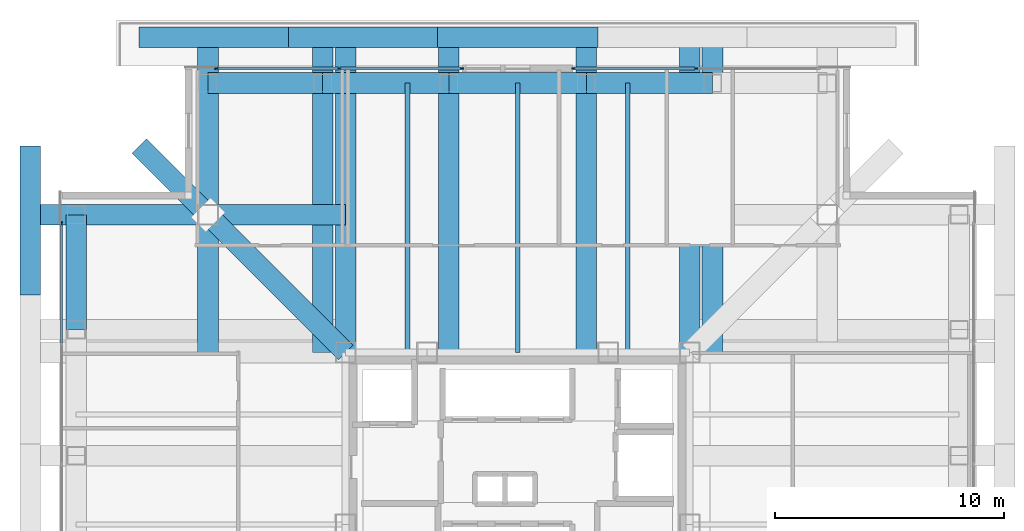
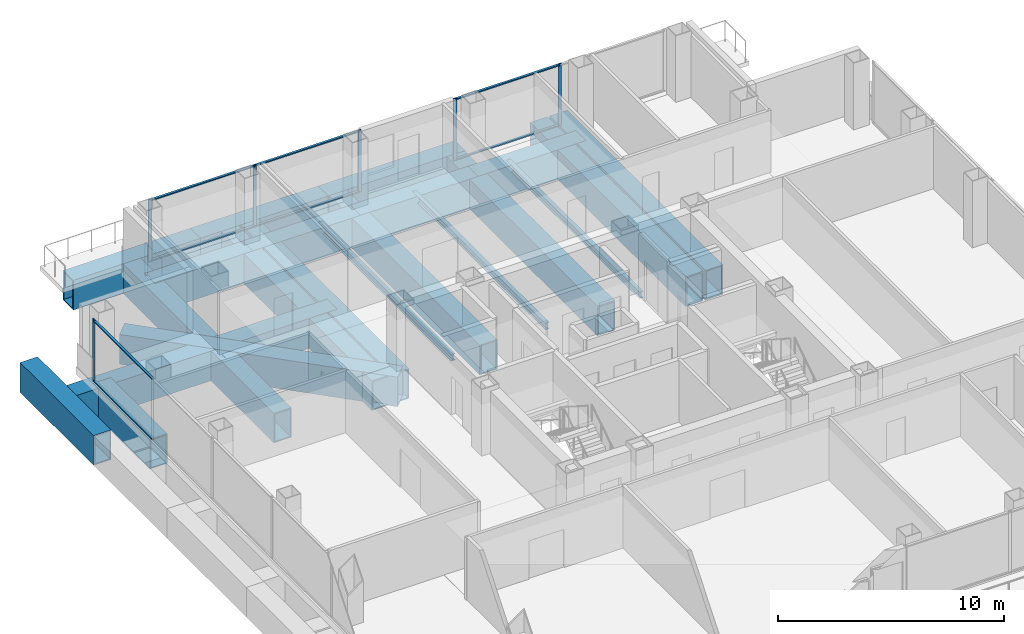
# One storey, part 7 of 14: 21 beams, 14 members, 3 elements without a shape of their own.
"""IFC4 building model written with IfcOpenShell, lengths in metres."""

import ifcopenshell
import ifcopenshell.guid

model = None  # the IFC model being written
_history = None  # IfcOwnerHistory: only IFC2X3 demands one
_inside = {}  # id of a spatial element -> (the spatial element, [elements in it])
_under = {}  # id of a project, library or spatial element -> (it, [spatial elements below it])
_declared = {}  # id of a project -> (the project, [libraries it declares])
_typed = {}  # id of a type object -> (the type object, [elements of that type])
_made_of = {}  # id of a material, layer set ... -> (it, [elements and type objects made of it])


def new_model(schema):
    """Start an empty IFC model of exactly this schema.

    Asked for "IFC4X3", IfcOpenShell would pick the latest addendum, in which some entities
    have other attributes; the version numbers below select the first issue.
    IFC2X3 requires an IfcOwnerHistory on every rooted entity: one is made here for all.
    """
    global model, _history
    if schema == "IFC4X3":
        model = ifcopenshell.file(schema_version=(4, 3, 0, 0))
    else:
        model = ifcopenshell.file(schema=schema)
    _inside.clear()
    _under.clear()
    _declared.clear()
    _typed.clear()
    _made_of.clear()
    _history = None
    if model.schema == "IFC2X3":
        org = make("IfcOrganization", Name="unknown")
        user = make(
            "IfcPersonAndOrganization",
            ThePerson=make("IfcPerson", FamilyName="unknown"),
            TheOrganization=org,
        )
        app = make(
            "IfcApplication",
            ApplicationDeveloper=org,
            Version="unknown",
            ApplicationFullName="unknown",
            ApplicationIdentifier="unknown",
        )
        _history = make(
            "IfcOwnerHistory",
            OwningUser=user,
            OwningApplication=app,
            ChangeAction="ADDED",
            CreationDate=0,
        )
    return model


def make(cls, **values):
    """One entity of the class cls with the attributes given. An attribute that is None is left unset."""
    return model.create_entity(
        cls, **{name: value for name, value in values.items() if value is not None}
    )


def rooted(cls, **values):
    """An entity with a GlobalId (a new one), such as an element, a storey or a relation."""
    return make(cls, GlobalId=ifcopenshell.guid.new(), OwnerHistory=_history, **values)


def si_unit(unit_type, name, prefix=None):
    """IfcSIUnit, for example si_unit("LENGTHUNIT", "METRE", prefix="MILLI")."""
    return make("IfcSIUnit", UnitType=unit_type, Prefix=prefix, Name=name)


def assignment(units):
    """IfcUnitAssignment: the units of a project."""
    return None if units is None else make("IfcUnitAssignment", Units=units)


def point(xyz):
    """IfcCartesianPoint."""
    return None if xyz is None else make("IfcCartesianPoint", Coordinates=xyz)


def direction(xyz):
    """IfcDirection."""
    return None if xyz is None else make("IfcDirection", DirectionRatios=xyz)


def frame(location, z_axis=None, x_axis=None):
    """IfcAxis2Placement3D, a coordinate frame: its origin and axes. An axis left out is left unset."""
    return make(
        "IfcAxis2Placement3D",
        Location=point(location),
        Axis=direction(z_axis),
        RefDirection=direction(x_axis),
    )


def frame_2d(location, x_axis=None):
    """IfcAxis2Placement2D, a coordinate frame in the plane: its origin and x axis."""
    return make(
        "IfcAxis2Placement2D", Location=point(location), RefDirection=direction(x_axis)
    )


def origin():
    """The frame at (0, 0, 0) with its axes left unset."""
    return frame((0.0, 0.0, 0.0))


def origin_2d():
    """The frame at (0, 0) in the plane with its x axis left unset."""
    return frame_2d((0.0, 0.0))


def place(relative_to, where):
    """IfcLocalPlacement: puts the frame where relative to a parent placement (None: the world)."""
    return make(
        "IfcLocalPlacement", PlacementRelTo=relative_to, RelativePlacement=where
    )


def context(
    kind, dimensions, precision=None, world=None, true_north=None, identifier=None
):
    """IfcGeometricRepresentationContext, for example the 3D "Model" context."""
    return make(
        "IfcGeometricRepresentationContext",
        ContextIdentifier=identifier,
        ContextType=kind,
        CoordinateSpaceDimension=dimensions,
        Precision=precision,
        WorldCoordinateSystem=world,
        TrueNorth=true_north,
    )


def subcontext(parent, identifier, kind, view, scale=None):
    """IfcGeometricRepresentationSubContext, for example "Body" below "Model"."""
    return make(
        "IfcGeometricRepresentationSubContext",
        ContextIdentifier=identifier,
        ContextType=kind,
        ParentContext=parent,
        TargetScale=scale,
        TargetView=view,
    )


def project(units=None, contexts=None):
    """IfcProject with its units and contexts."""
    return rooted(
        "IfcProject",
        Name="project",
        RepresentationContexts=contexts,
        UnitsInContext=assignment(units),
    )


def spatial(cls, under=None, at=None, **own):
    """A site, building, storey or space (cls), placed at a placement, below another one or the project."""
    s = rooted(cls, ObjectPlacement=at, **own)
    if under is not None:
        _under.setdefault(under.id(), (under, []))[1].append(s)
    return s


def profile(cls, at=None, kind="AREA", **sizes):
    """A parametric profile (cls). Its sizes go by their IFC names, for example OverallWidth=200.0."""
    return make(cls, ProfileType=kind, Position=at, **sizes)


def rectangle(**sizes):
    """IfcRectangleProfileDef."""
    return profile("IfcRectangleProfileDef", **sizes)


def hollow_rectangle(**sizes):
    """IfcRectangleHollowProfileDef."""
    return profile("IfcRectangleHollowProfileDef", **sizes)


def i_section(**sizes):
    """IfcIShapeProfileDef."""
    return profile("IfcIShapeProfileDef", **sizes)


def extrude(swept, where, along, depth):
    """IfcExtrudedAreaSolid: the profile swept, set in the frame where, extruded along a direction by depth."""
    return make(
        "IfcExtrudedAreaSolid",
        SweptArea=swept,
        Position=where,
        ExtrudedDirection=direction(along),
        Depth=depth,
    )


def shape(context_of_items, identifier, shape_type, items):
    """IfcShapeRepresentation: the items that make up one representation, for example the "Body"."""
    return make(
        "IfcShapeRepresentation",
        ContextOfItems=context_of_items,
        RepresentationIdentifier=identifier,
        RepresentationType=shape_type,
        Items=items,
    )


def material(Name=None, Category=None):
    """IfcMaterial."""
    return make("IfcMaterial", Name=Name, Category=Category)


def layer(
    of_material, thickness, ventilated=None, Name=None, Category=None, Priority=None
):
    """IfcMaterialLayer: one layer of a wall or slab, of a material (None: an air gap)."""
    return make(
        "IfcMaterialLayer",
        Material=of_material,
        LayerThickness=thickness,
        IsVentilated=ventilated,
        Name=Name,
        Category=Category,
        Priority=Priority,
    )


def layer_set(layers, Name=None):
    """IfcMaterialLayerSet."""
    return make("IfcMaterialLayerSet", MaterialLayers=layers, LayerSetName=Name)


def material_profile(
    of_material, cross_section, Name=None, Category=None, Priority=None
):
    """IfcMaterialProfile: a cross section and its material."""
    return make(
        "IfcMaterialProfile",
        Name=Name,
        Material=of_material,
        Profile=cross_section,
        Priority=Priority,
        Category=Category,
    )


def profile_set(profiles, Name=None, composite=None):
    """IfcMaterialProfileSet."""
    return make(
        "IfcMaterialProfileSet",
        Name=Name,
        MaterialProfiles=profiles,
        CompositeProfile=composite,
    )


def made_of(thing, what):
    """Note that an element or type object is made of a material, layer set ...; save() writes the relation."""
    if what is not None:
        _made_of.setdefault(what.id(), (what, []))[1].append(thing)
    return thing


def type_object(cls, material=None, **own):
    """A type object (cls), such as IfcWallType, which elements share."""
    return made_of(rooted(cls, **own), material)


def element(
    cls,
    number,
    at=None,
    inside=None,
    cuts=None,
    type_object=None,
    material=None,
    context=None,
    identifier="Body",
    shape_type=None,
    held_by="IfcProductDefinitionShape",
    body=None,
    shapes=None,
    **own,
):
    """One element of the class cls, such as IfcWall. Its Tag is "e" and its number.

    at: its placement. inside: the storey or other place that contains it. cuts: it is an
    opening in that element (IfcRelVoidsElement). A single representation is given by context,
    identifier, shape_type and body (its items); several are given by shapes. held_by: the class
    of the entity that holds the representations. save() writes the other relations.
    """
    e = rooted(cls, Tag="e%d" % number, ObjectPlacement=at, **own)
    if body is not None:
        shapes = [shape(context, identifier, shape_type, body)]
    if shapes is not None:
        e.Representation = make(held_by, Representations=shapes)
    if inside is not None:
        _inside.setdefault(inside.id(), (inside, []))[1].append(e)
    if cuts is not None:
        rooted(
            "IfcRelVoidsElement", RelatingBuildingElement=cuts, RelatedOpeningElement=e
        )
    if type_object is not None:
        _typed.setdefault(type_object.id(), (type_object, []))[1].append(e)
    return made_of(e, material)


def aggregate(whole, parts):
    """IfcRelAggregates: a whole, such as a stair, and the parts it consists of."""
    return rooted("IfcRelAggregates", RelatingObject=whole, RelatedObjects=parts)


def save(model, path):
    """Write the relations noted so far, then the file.

    IfcRelAggregates (storeys below a building ...), IfcRelContainedInSpatialStructure (elements
    in a storey), IfcRelDefinesByType, IfcRelAssociatesMaterial and IfcRelDeclares: one each for
    every whole, place, type object, material and project.
    """
    for whole, parts in _under.values():
        aggregate(whole, parts)
    for where, things in _inside.values():
        rooted(
            "IfcRelContainedInSpatialStructure",
            RelatedElements=things,
            RelatingStructure=where,
        )
    for kind, things in _typed.values():
        rooted("IfcRelDefinesByType", RelatedObjects=things, RelatingType=kind)
    for what, things in _made_of.values():
        rooted("IfcRelAssociatesMaterial", RelatedObjects=things, RelatingMaterial=what)
    for by, libraries in _declared.values():
        rooted("IfcRelDeclares", RelatingContext=by, RelatedDefinitions=libraries)
    model.write(path)


model = new_model("IFC4")

# Units and contexts
model_context = context("Model", 3, precision=1e-05, world=origin(), true_north=direction((0.0, 1.0)))
body_context = subcontext(model_context, "Body", "Model", "MODEL_VIEW")
ifc_project = project(units=[si_unit("LENGTHUNIT", "METRE"), si_unit("AREAUNIT", "SQUARE_METRE"), si_unit("VOLUMEUNIT", "CUBIC_METRE"), si_unit("PLANEANGLEUNIT", "RADIAN"), si_unit("MASSUNIT", "GRAM", prefix="KILO")], contexts=[model_context])

# Site, building, storey
site_placement = place(None, origin())
site = spatial("IfcSite", under=ifc_project, at=site_placement, CompositionType="ELEMENT")
building_placement = place(site_placement, origin())
building = spatial("IfcBuilding", under=site, at=building_placement, Name="Trevonay Congress Spire", CompositionType="ELEMENT")
storey_placement = place(building_placement, frame((0.0, 0.0, 166.199951171875)))
storey = spatial("IfcBuildingStorey", under=building, at=storey_placement, Name="L42", CompositionType="ELEMENT", Elevation=166.199951171875)

# Beams
ifc_material_1 = material(Name="Steel ASTM A572 Grade 50", Category="steel")
ifc_material_profile_1 = material_profile(ifc_material_1, hollow_rectangle(XDim=0.89990234375, YDim=1.60009765625, WallThickness=0.06005859375, at=origin_2d()), Name="BOX 1600x900x60")
ifc_profile_set_1 = profile_set([ifc_material_profile_1], Name="Steel ASTM A572 Grade 50")
beam_type_1 = type_object("IfcBeamType", Name="BM-RING-BOX1600", PredefinedType="BEAM", material=ifc_profile_set_1)
beam_1_placement = place(storey_placement, frame((-13.5, 19.25, -1.199951171875), z_axis=(1.0, 0.0, 0.0), x_axis=(0.0, 1.0, 0.0)))
element("IfcBeam", 1, at=beam_1_placement, inside=storey, type_object=beam_type_1, Name="L42 structural beam BM-L42-PN1", PredefinedType="BEAM", context=body_context, shape_type="SweptSolid", body=[
    extrude(hollow_rectangle(XDim=0.89990234375, YDim=1.60009765625, WallThickness=0.06005859375, at=origin_2d()), origin(), (0.0, 0.0, 1.0), 5.0),
])
beam_2_placement = place(storey_placement, frame((-8.5, 19.25, -1.199951171875), z_axis=(1.0, 0.0, 0.0), x_axis=(0.0, 1.0, 0.0)))
element("IfcBeam", 2, at=beam_2_placement, inside=storey, type_object=beam_type_1, Name="L42 structural beam BM-L42-PN2", PredefinedType="BEAM", context=body_context, shape_type="SweptSolid", body=[
    extrude(hollow_rectangle(XDim=0.89990234375, YDim=1.60009765625, WallThickness=0.06005859375, at=origin_2d()), origin(), (0.0, 0.0, 1.0), 5.5),
])
beam_3_placement = place(storey_placement, frame((-3.0, 19.25, -1.199951171875), z_axis=(1.0, 0.0, 0.0), x_axis=(0.0, 1.0, 0.0)))
element("IfcBeam", 3, at=beam_3_placement, inside=storey, type_object=beam_type_1, Name="L42 structural beam BM-L42-PN3", PredefinedType="BEAM", context=body_context, shape_type="SweptSolid", body=[
    extrude(hollow_rectangle(XDim=0.89990234375, YDim=1.60009765625, WallThickness=0.06005859375, at=origin_2d()), origin(), (0.0, 0.0, 1.0), 6.0),
])
beam_4_placement = place(storey_placement, frame((3.0, 19.25, -1.199951171875), z_axis=(1.0, 0.0, 0.0), x_axis=(0.0, 1.0, 0.0)))
element("IfcBeam", 4, at=beam_4_placement, inside=storey, type_object=beam_type_1, Name="L42 structural beam BM-L42-PN4", PredefinedType="BEAM", context=body_context, shape_type="SweptSolid", body=[
    extrude(hollow_rectangle(XDim=0.89990234375, YDim=1.60009765625, WallThickness=0.06005859375, at=origin_2d()), origin(), (0.0, 0.0, 1.0), 5.5),
])
beam_5_placement = place(storey_placement, frame((-19.25, 8.5, -1.199951171875), z_axis=(0.0, 1.0, 0.0), x_axis=(-1.0, 0.0, 0.0)))
element("IfcBeam", 5, at=beam_5_placement, inside=storey, type_object=beam_type_1, Name="L42 structural beam BM-L42-PW5", PredefinedType="BEAM", context=body_context, shape_type="SweptSolid", body=[
    extrude(hollow_rectangle(XDim=0.89990234375, YDim=1.60009765625, WallThickness=0.06005859375, at=origin_2d()), origin(), (0.0, 0.0, 1.0), 5.0),
])
for number, where, z_axis, x_axis, name in (
    (6, (-16.5, 21.25, -1.199951171875), (1.0, 0.0, 0.0), (0.0, 1.0, 0.0), "L42 structural beam XOUT-L42-N0"),
    (7, (-10.0, 21.25, -1.199951171875), (1.0, 0.0, 0.0), (0.0, 1.0, 0.0), "L42 structural beam XOUT-L42-N1"),
):
    element("IfcBeam", number, at=place(storey_placement, frame(where, z_axis=z_axis, x_axis=x_axis)), inside=storey, type_object=beam_type_1, Name=name, PredefinedType="BEAM", context=body_context, shape_type="SweptSolid", body=[
        extrude(hollow_rectangle(XDim=0.89990234375, YDim=1.60009765625, WallThickness=0.06005859375, at=origin_2d()), origin(), (0.0, 0.0, 1.0), 6.5),
    ])
beam_6_placement = place(storey_placement, frame((-3.5, 21.25, -1.199951171875), z_axis=(1.0, 0.0, 0.0), x_axis=(0.0, 1.0, 0.0)))
element("IfcBeam", 8, at=beam_6_placement, inside=storey, type_object=beam_type_1, Name="L42 structural beam XOUT-L42-N2", PredefinedType="BEAM", context=body_context, shape_type="SweptSolid", body=[
    extrude(hollow_rectangle(XDim=0.89990234375, YDim=1.60009765625, WallThickness=0.06005859375, at=origin_2d()), origin(), (0.0, 0.0, 1.0), 7.0),
])
beam_7_placement = place(storey_placement, frame((-21.25, 10.0, -1.199951171875), z_axis=(0.0, 1.0, 0.0), x_axis=(-1.0, 0.0, 0.0)))
element("IfcBeam", 9, at=beam_7_placement, inside=storey, type_object=beam_type_1, Name="L42 structural beam XOUT-L42-W4", PredefinedType="BEAM", context=body_context, shape_type="SweptSolid", body=[
    extrude(hollow_rectangle(XDim=0.89990234375, YDim=1.60009765625, WallThickness=0.06005859375, at=origin_2d()), origin(), (0.0, 0.0, 1.0), 6.5),
])
ifc_material_profile_2 = material_profile(ifc_material_1, hollow_rectangle(XDim=0.89990234375, YDim=1.60009765625, WallThickness=0.06005859375, at=origin_2d()), Name="BOX 1600x900x60")
ifc_profile_set_2 = profile_set([ifc_material_profile_2], Name="Steel ASTM A572 Grade 50")
beam_type_2 = type_object("IfcBeamType", Name="BM-XFER-BOX1600", PredefinedType="BEAM", material=ifc_profile_set_2)
beam_8_placement = place(storey_placement, frame((-7.5, 7.5, -1.199951171875), z_axis=(-0.707106781187, 0.707106781187, 0.0), x_axis=(-0.707106781187, -0.707106781187, 0.0)))
element("IfcBeam", 10, at=beam_8_placement, inside=storey, type_object=beam_type_2, Name="L42 structural beam BM-L42-CDNW", PredefinedType="BEAM", context=body_context, shape_type="SweptSolid", body=[
    extrude(hollow_rectangle(XDim=0.89990234375, YDim=1.60009765625, WallThickness=0.06005859375, at=origin_2d()), origin(), (0.0, 0.0, 1.0), 12.72802734375),
])
for number, where, z_axis, x_axis, name in (
    (11, (-7.5, 7.5, -1.199951171875), (0.0, 1.0, 0.0), (-1.0, 0.0, 0.0), "L42 structural beam XSPN-L42-CY-NW"),
    (12, (7.5, 7.5, -1.199951171875), (0.0, 1.0, 0.0), (-1.0, 0.0, 0.0), "L42 structural beam XSPN-L42-CY-NE"),
    (13, (-13.5, 7.5, -1.199951171875), (0.0, 1.0, 0.0), (-1.0, 0.0, 0.0), "L42 structural beam XFER-L42-N0"),
    (14, (-8.5, 7.5, -1.199951171875), (0.0, 1.0, 0.0), (-1.0, 0.0, 0.0), "L42 structural beam XFER-L42-N1"),
    (15, (-3.0, 7.5, -1.199951171875), (0.0, 1.0, 0.0), (-1.0, 0.0, 0.0), "L42 structural beam XFER-L42-N2"),
    (16, (3.0, 7.5, -1.199951171875), (0.0, 1.0, 0.0), (-1.0, 0.0, 0.0), "L42 structural beam XFER-L42-N3"),
    (17, (8.5, 7.5, -1.199951171875), (0.0, 1.0, 0.0), (-1.0, 0.0, 0.0), "L42 structural beam XFER-L42-N4"),
    (18, (-7.5, 13.5, -1.199951171875), (-1.0, 0.0, 0.0), (0.0, -1.0, 0.0), "L42 structural beam XFER-L42-W5"),
):
    element("IfcBeam", number, at=place(storey_placement, frame(where, z_axis=z_axis, x_axis=x_axis)), inside=storey, type_object=beam_type_2, Name=name, PredefinedType="BEAM", context=body_context, shape_type="SweptSolid", body=[
        extrude(hollow_rectangle(XDim=0.89990234375, YDim=1.60009765625, WallThickness=0.06005859375, at=origin_2d()), origin(), (0.0, 0.0, 1.0), 13.75),
    ])

# Curtain wall, members
ifc_material_2 = material(Name="Pale Anodised Aluminium EN AW-6063-T6", Category="aluminium")
ifc_layer = layer(ifc_material_2, 0.169921875, Name="Pale Anodised Aluminium EN AW-6063-T6")
ifc_layer_set = layer_set([ifc_layer], Name="Pale Anodised Aluminium EN AW-6063-T6")
curtain_wall_type = type_object("IfcCurtainWallType", Name="CW-SYS04-CORP-PALE-METAL", PredefinedType="NOTDEFINED", material=ifc_layer_set)
curtain_wall_1_placement = place(storey_placement, origin())
curtain_wall_1 = element("IfcCurtainWall", 19, at=curtain_wall_1_placement, inside=storey, type_object=curtain_wall_type, Name="L42 NA unitised curtain wall", PredefinedType="NOTDEFINED")
ifc_material_profile_3 = material_profile(ifc_material_2, rectangle(XDim=0.06005859375, YDim=0.159912109375, at=origin_2d()), Name="CW-MULLION-160-ALUMINIUM")
ifc_profile_set_3 = profile_set([ifc_material_profile_3], Name="Pale Anodised Aluminium EN AW-6063-T6")
member_type_1 = type_object("IfcMemberType", Name="CW-MULLION-160-ALUMINIUM", PredefinedType="MULLION", material=ifc_profile_set_3)
member_1_placement = place(storey_placement, frame((-13.1201171875, 19.8798828125, 0.0), z_axis=(0.0, 0.0, 1.0), x_axis=(0.0, 1.0, 0.0)))
member_1 = element("IfcMember", 20, at=member_1_placement, type_object=member_type_1, Name="CW04 mullion 1", PredefinedType="MULLION", context=body_context, shape_type="SweptSolid", body=[
    extrude(rectangle(XDim=0.06005859375, YDim=0.159912109375, at=origin_2d()), origin(), (0.0, 0.0, 1.0), 3.360107421875),
])
member_2_placement = place(storey_placement, frame((-7.77490234375, 19.8798828125, 0.0), z_axis=(0.0, 0.0, 1.0), x_axis=(0.0, 1.0, 0.0)))
member_2 = element("IfcMember", 21, at=member_2_placement, type_object=member_type_1, Name="CW04 mullion 2", PredefinedType="MULLION", context=body_context, shape_type="SweptSolid", body=[
    extrude(rectangle(XDim=0.06005859375, YDim=0.159912109375, at=origin_2d()), origin(), (0.0, 0.0, 1.0), 3.360107421875),
])
member_3_placement = place(storey_placement, frame((-2.429931640625, 19.8798828125, 0.0), z_axis=(0.0, 0.0, 1.0), x_axis=(0.0, 1.0, 0.0)))
member_3 = element("IfcMember", 22, at=member_3_placement, type_object=member_type_1, Name="CW04 mullion 3", PredefinedType="MULLION", context=body_context, shape_type="SweptSolid", body=[
    extrude(rectangle(XDim=0.06005859375, YDim=0.159912109375, at=origin_2d()), origin(), (0.0, 0.0, 1.0), 3.360107421875),
])

curtain_wall_2_placement = place(storey_placement, origin())
curtain_wall_2 = element("IfcCurtainWall", 23, at=curtain_wall_2_placement, inside=storey, type_object=curtain_wall_type, Name="L42 NB unitised curtain wall", PredefinedType="NOTDEFINED")
member_4_placement = place(storey_placement, frame((2.429931640625, 19.8798828125, 0.0), z_axis=(0.0, 0.0, 1.0), x_axis=(0.0, 1.0, 0.0)))
member_4 = element("IfcMember", 24, at=member_4_placement, type_object=member_type_1, Name="CW04 mullion 1", PredefinedType="MULLION", context=body_context, shape_type="SweptSolid", body=[
    extrude(rectangle(XDim=0.06005859375, YDim=0.159912109375, at=origin_2d()), origin(), (0.0, 0.0, 1.0), 3.360107421875),
])
member_5_placement = place(storey_placement, frame((7.77490234375, 19.8798828125, 0.0), z_axis=(0.0, 0.0, 1.0), x_axis=(0.0, 1.0, 0.0)))
member_5 = element("IfcMember", 25, at=member_5_placement, type_object=member_type_1, Name="CW04 mullion 2", PredefinedType="MULLION", context=body_context, shape_type="SweptSolid", body=[
    extrude(rectangle(XDim=0.06005859375, YDim=0.159912109375, at=origin_2d()), origin(), (0.0, 0.0, 1.0), 3.360107421875),
])

# Curtain wall, member
curtain_wall_3_placement = place(storey_placement, origin())
curtain_wall_3 = element("IfcCurtainWall", 26, at=curtain_wall_3_placement, inside=storey, type_object=curtain_wall_type, Name="L42 W unitised curtain wall", PredefinedType="NOTDEFINED")
member_6_placement = place(storey_placement, frame((-19.8798828125, 13.1201171875, 0.0), z_axis=(0.0, 0.0, 1.0), x_axis=(-1.0, 0.0, 0.0)))
member_6 = element("IfcMember", 27, at=member_6_placement, type_object=member_type_1, Name="CW04 mullion 6", PredefinedType="MULLION", context=body_context, shape_type="SweptSolid", body=[
    extrude(rectangle(XDim=0.06005859375, YDim=0.159912109375, at=origin_2d()), origin(), (0.0, 0.0, 1.0), 3.360107421875),
])

# Member
ifc_material_profile_4 = material_profile(ifc_material_2, rectangle(XDim=0.1201171875, YDim=0.06005859375, at=origin_2d()), Name="CW-TRANSOM-120-ALUMINIUM")
ifc_profile_set_4 = profile_set([ifc_material_profile_4], Name="Pale Anodised Aluminium EN AW-6063-T6")
member_type_2 = type_object("IfcMemberType", Name="CW-TRANSOM-120-ALUMINIUM", PredefinedType="USERDEFINED", material=ifc_profile_set_4)
member_7_placement = place(storey_placement, frame((-13.090087890625, 19.8798828125, 0.06005859375), z_axis=(1.0, 0.0, 0.0), x_axis=(0.0, 1.0, 0.0)))
member_7 = element("IfcMember", 28, at=member_7_placement, type_object=member_type_2, Name="CW04 transom 1.1", ObjectType="TRANSOM", PredefinedType="USERDEFINED", context=body_context, shape_type="SweptSolid", body=[
    extrude(rectangle(XDim=0.1201171875, YDim=0.06005859375, at=origin_2d()), origin(), (0.0, 0.0, 1.0), 5.28515625),
])

member_8_placement = place(storey_placement, frame((-13.090087890625, 19.8798828125, 3.300048828125), z_axis=(1.0, 0.0, 0.0), x_axis=(0.0, 1.0, 0.0)))
member_8 = element("IfcMember", 29, at=member_8_placement, type_object=member_type_2, Name="CW04 transom 1.2", ObjectType="TRANSOM", PredefinedType="USERDEFINED", context=body_context, shape_type="SweptSolid", body=[
    extrude(rectangle(XDim=0.1201171875, YDim=0.06005859375, at=origin_2d()), origin(), (0.0, 0.0, 1.0), 5.28515625),
])

member_9_placement = place(storey_placement, frame((-7.7451171875, 19.8798828125, 0.06005859375), z_axis=(1.0, 0.0, 0.0), x_axis=(0.0, 1.0, 0.0)))
member_9 = element("IfcMember", 30, at=member_9_placement, type_object=member_type_2, Name="CW04 transom 2.1", ObjectType="TRANSOM", PredefinedType="USERDEFINED", context=body_context, shape_type="SweptSolid", body=[
    extrude(rectangle(XDim=0.1201171875, YDim=0.06005859375, at=origin_2d()), origin(), (0.0, 0.0, 1.0), 5.28515625),
])

member_10_placement = place(storey_placement, frame((-7.7451171875, 19.8798828125, 3.300048828125), z_axis=(1.0, 0.0, 0.0), x_axis=(0.0, 1.0, 0.0)))
member_10 = element("IfcMember", 31, at=member_10_placement, type_object=member_type_2, Name="CW04 transom 2.2", ObjectType="TRANSOM", PredefinedType="USERDEFINED", context=body_context, shape_type="SweptSolid", body=[
    extrude(rectangle(XDim=0.1201171875, YDim=0.06005859375, at=origin_2d()), origin(), (0.0, 0.0, 1.0), 5.28515625),
])

aggregate(curtain_wall_1, [member_1, member_2, member_3, member_7, member_8, member_9, member_10])

member_11_placement = place(storey_placement, frame((2.4599609375, 19.8798828125, 0.06005859375), z_axis=(1.0, 0.0, 0.0), x_axis=(0.0, 1.0, 0.0)))
member_11 = element("IfcMember", 32, at=member_11_placement, type_object=member_type_2, Name="CW04 transom 1.1", ObjectType="TRANSOM", PredefinedType="USERDEFINED", context=body_context, shape_type="SweptSolid", body=[
    extrude(rectangle(XDim=0.1201171875, YDim=0.06005859375, at=origin_2d()), origin(), (0.0, 0.0, 1.0), 5.28515625),
])

member_12_placement = place(storey_placement, frame((2.4599609375, 19.8798828125, 3.300048828125), z_axis=(1.0, 0.0, 0.0), x_axis=(0.0, 1.0, 0.0)))
member_12 = element("IfcMember", 33, at=member_12_placement, type_object=member_type_2, Name="CW04 transom 1.2", ObjectType="TRANSOM", PredefinedType="USERDEFINED", context=body_context, shape_type="SweptSolid", body=[
    extrude(rectangle(XDim=0.1201171875, YDim=0.06005859375, at=origin_2d()), origin(), (0.0, 0.0, 1.0), 5.28515625),
])

aggregate(curtain_wall_2, [member_4, member_5, member_11, member_12])

member_13_placement = place(storey_placement, frame((-19.8798828125, 7.919921875, 0.06005859375), z_axis=(0.0, 1.0, 0.0), x_axis=(-1.0, 0.0, 0.0)))
member_13 = element("IfcMember", 34, at=member_13_placement, type_object=member_type_2, Name="CW04 transom 5.1", ObjectType="TRANSOM", PredefinedType="USERDEFINED", context=body_context, shape_type="SweptSolid", body=[
    extrude(rectangle(XDim=0.1201171875, YDim=0.06005859375, at=origin_2d()), origin(), (0.0, 0.0, 1.0), 5.170166015625),
])

member_14_placement = place(storey_placement, frame((-19.8798828125, 7.919921875, 3.300048828125), z_axis=(0.0, 1.0, 0.0), x_axis=(-1.0, 0.0, 0.0)))
member_14 = element("IfcMember", 35, at=member_14_placement, type_object=member_type_2, Name="CW04 transom 5.2", ObjectType="TRANSOM", PredefinedType="USERDEFINED", context=body_context, shape_type="SweptSolid", body=[
    extrude(rectangle(XDim=0.1201171875, YDim=0.06005859375, at=origin_2d()), origin(), (0.0, 0.0, 1.0), 5.170166015625),
])

aggregate(curtain_wall_3, [member_6, member_13, member_14])

# Beams
ifc_material_profile_5 = material_profile(ifc_material_1, i_section(OverallWidth=0.205078125, OverallDepth=0.35400390625, WebThickness=0.009521484375, FlangeThickness=0.016845703125, FilletRadius=0.011962890625, at=origin_2d()), Name="W360x79")
ifc_profile_set_5 = profile_set([ifc_material_profile_5], Name="Steel ASTM A572 Grade 50")
beam_type_3 = type_object("IfcBeamType", Name="JS-COMP-W360X79", PredefinedType="JOIST", material=ifc_profile_set_5)
for number, where, z_axis, x_axis, name in (
    (36, (-4.800048828125, 7.5, -0.576904296875), (0.0, 1.0, 0.0), (-1.0, 0.0, 0.0), "L42 structural beam JS-L42-NS-N1"),
    (37, (0.0, 7.5, -0.576904296875), (0.0, 1.0, 0.0), (-1.0, 0.0, 0.0), "L42 structural beam JS-L42-NS-N2"),
    (38, (4.800048828125, 7.5, -0.576904296875), (0.0, 1.0, 0.0), (-1.0, 0.0, 0.0), "L42 structural beam JS-L42-NS-N3"),
):
    element("IfcBeam", number, at=place(storey_placement, frame(where, z_axis=z_axis, x_axis=x_axis)), inside=storey, type_object=beam_type_3, Name=name, PredefinedType="JOIST", context=body_context, shape_type="SweptSolid", body=[
        extrude(i_section(OverallWidth=0.205078125, OverallDepth=0.35400390625, WebThickness=0.009521484375, FlangeThickness=0.016845703125, FilletRadius=0.011962890625, at=origin_2d()), origin(), (0.0, 0.0, 1.0), 11.75),
    ])

save(model, "model.ifc")
